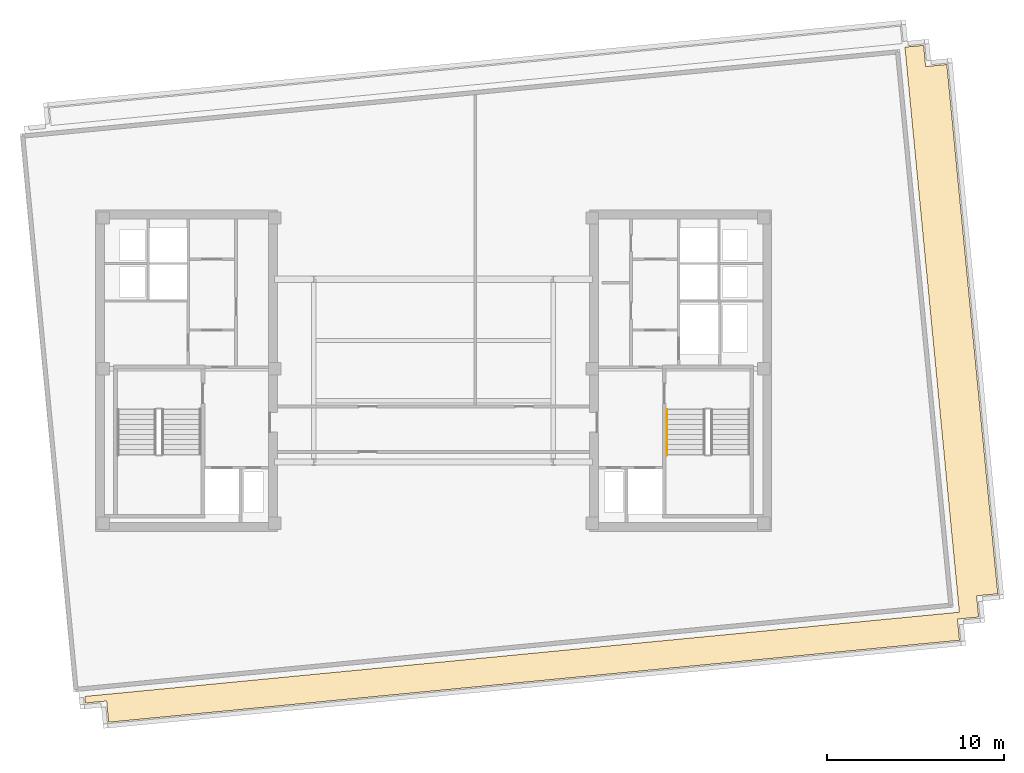
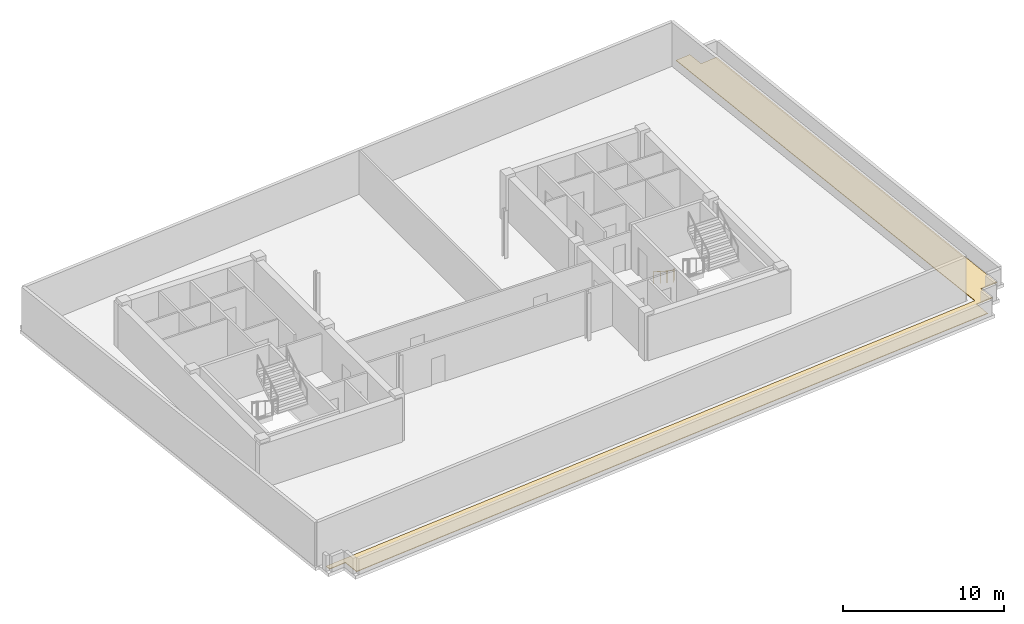
# One storey, part 6 of 8: 1 covering, 1 railing.
"""IFC4 building model written with IfcOpenShell, lengths in metres."""

from ifc_helpers import new_model, si_unit, direction, frame, origin, origin_2d, place, context, subcontext, project, spatial, polyline, circle, outline, extrude, material, layer, layer_set, type_object, element, save


model = new_model("IFC4")

# Units and contexts
model_context = context("Model", 3, precision=1e-05, world=origin(), true_north=direction((0.0, 1.0)))
body_context = subcontext(model_context, "Body", "Model", "MODEL_VIEW")
ifc_project = project(units=[si_unit("LENGTHUNIT", "METRE"), si_unit("AREAUNIT", "SQUARE_METRE"), si_unit("VOLUMEUNIT", "CUBIC_METRE"), si_unit("PLANEANGLEUNIT", "RADIAN"), si_unit("MASSUNIT", "GRAM", prefix="KILO")], contexts=[model_context])

# Site, building, storey
site_placement = place(None, origin())
site = spatial("IfcSite", under=ifc_project, at=site_placement, CompositionType="ELEMENT")
building_placement = place(site_placement, origin())
building = spatial("IfcBuilding", under=site, at=building_placement, Name="Velakula Bourse", CompositionType="ELEMENT")
storey_placement = place(building_placement, frame((0.0, 0.0, 286.949951171875)))
storey = spatial("IfcBuildingStorey", under=building, at=storey_placement, Name="L78", CompositionType="ELEMENT", Elevation=286.949951171875)

# Covering
ifc_material_1 = material(Name="Modified bitumen SBS waterproofing membrane", Category="bitumen")
ifc_layer = layer(ifc_material_1, 0.044921875, Name="Modified bitumen SBS waterproofing membrane", Category="bitumen")
ifc_layer_set = layer_set([ifc_layer], Name="Modified bitumen SBS waterproofing membrane")
covering_type = type_object("IfcCoveringType", Name="COV-ROOF-SBS-45", PredefinedType="ROOFING", material=ifc_layer_set)
covering_placement = place(storey_placement, origin())
element("IfcCovering", 1, at=covering_placement, inside=storey, type_object=covering_type, Name="L78 SBS Waterproofing Roof Membrane 2", PredefinedType="ROOFING", context=body_context, shape_type="SweptSolid", body=[
    extrude(outline(polyline([(26.5615234375, 18.227294921875), (27.61279296875, 18.32861328125), (27.727783203125, 17.134033203125), (28.92236328125, 17.2490234375), (31.7939453125, -12.572998046875), (30.599365234375, -12.68798828125), (30.71435546875, -13.882568359375), (29.52001953125, -13.99755859375), (29.635009765625, -15.19189453125), (-18.30322265625, -19.807861328125), (-18.418212890625, -18.613525390625), (-19.61279296875, -18.728515625), (-19.648681640625, -18.355224609375), (29.627197265625, -13.610595703125), (26.5615234375, 18.227294921875)])), origin(), (0.0, 0.0, 1.0), 0.045166015625),
])

# Railing
ifc_material_2 = material(Name="Brushed grade 316 stainless steel", Category="steel")
railing_type = type_object("IfcRailingType", Name="RLG-STAIR-HAND-920", PredefinedType="HANDRAIL", material=ifc_material_2)
railing_placement = place(storey_placement, frame((13.14990234375, -2.199951171875, 0.179931640625)))
element("IfcRailing", 2, at=railing_placement, inside=storey, type_object=railing_type, Name="L78 ST-E1 stair handrail 1", PredefinedType="HANDRAIL", context=body_context, shape_type="SweptSolid", body=[
    extrude(circle(Radius=0.02099609375, at=origin_2d()), frame((0.0, 0.0, 0.89892578125), z_axis=(0.0, -0.841162588446, 0.540782303519), x_axis=(1.0, 0.0, 0.0)), (0.0, 0.0, 1.0), 2.995849609375),
    extrude(circle(Radius=0.02099609375, at=origin_2d()), frame((0.0, -2.52001953125, 2.51904296875), z_axis=(0.0, -0.217210922078, 0.976124692511), x_axis=(1.0, 0.0, 0.0)), (0.0, 0.0, 1.0), 0.184326171875),
    extrude(circle(Radius=0.02099609375, at=origin_2d()), frame((0.0, -2.56005859375, 2.698974609375), z_axis=(0.0, -1.0, 0.0), x_axis=(1.0, 0.0, 0.0)), (0.0, 0.0, 1.0), 0.0048828125),
    extrude(circle(Radius=0.02099609375, at=origin_2d()), origin(), (0.0, 0.0, 1.0), 0.8779296875),
    extrude(circle(Radius=0.02099609375, at=origin_2d()), frame((0.0, -0.840087890625, 0.5400390625)), (0.0, 0.0, 1.0), 0.8779296875),
    extrude(circle(Radius=0.02099609375, at=origin_2d()), frame((0.0, -1.679931640625, 1.080078125)), (0.0, 0.0, 1.0), 0.8779296875),
    extrude(circle(Radius=0.02099609375, at=origin_2d()), frame((0.0, -2.52001953125, 1.6201171875)), (0.0, 0.0, 1.0), 0.8779296875),
    extrude(circle(Radius=0.02099609375, at=origin_2d()), frame((0.0, -2.56005859375, 1.800048828125)), (0.0, 0.0, 1.0), 0.8779296875),
    extrude(circle(Radius=0.02099609375, at=origin_2d()), frame((0.0, -2.56494140625, 1.800048828125)), (0.0, 0.0, 1.0), 0.8779296875),
])

save(model, "model.ifc")
